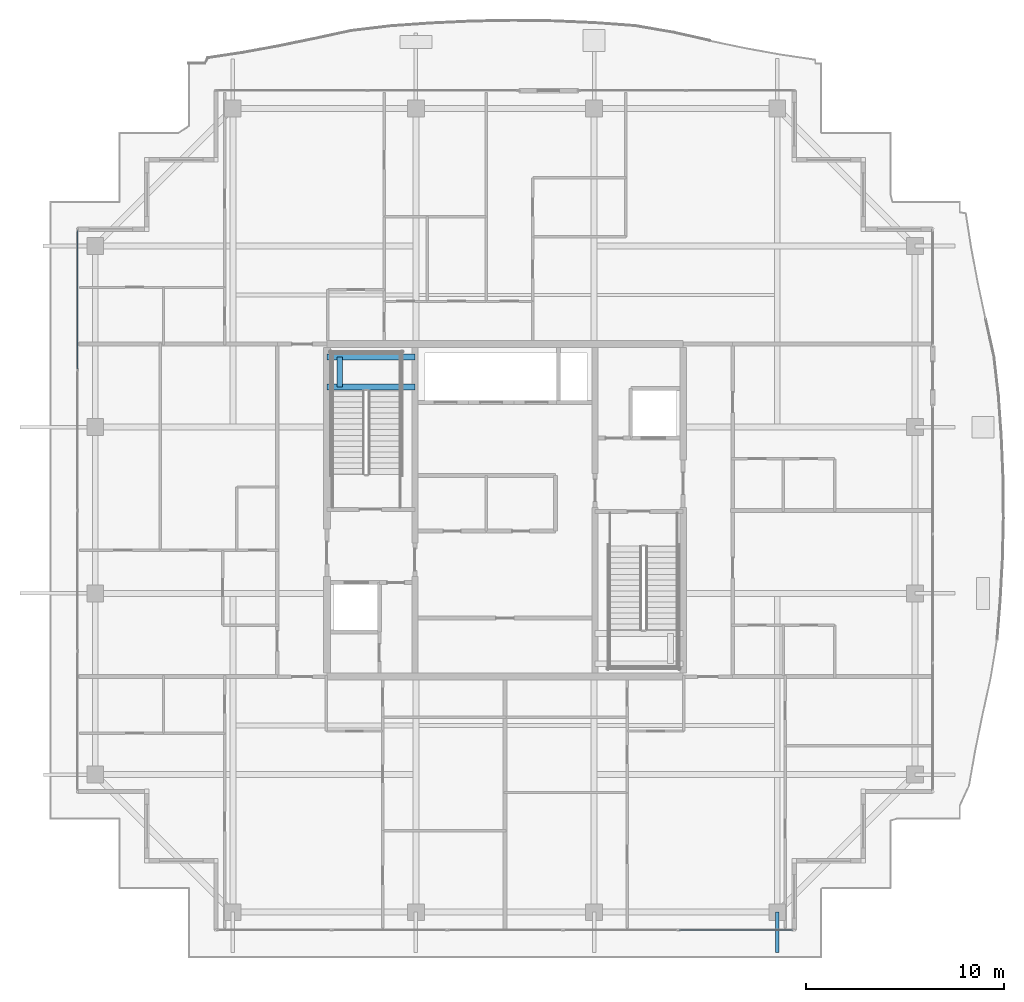
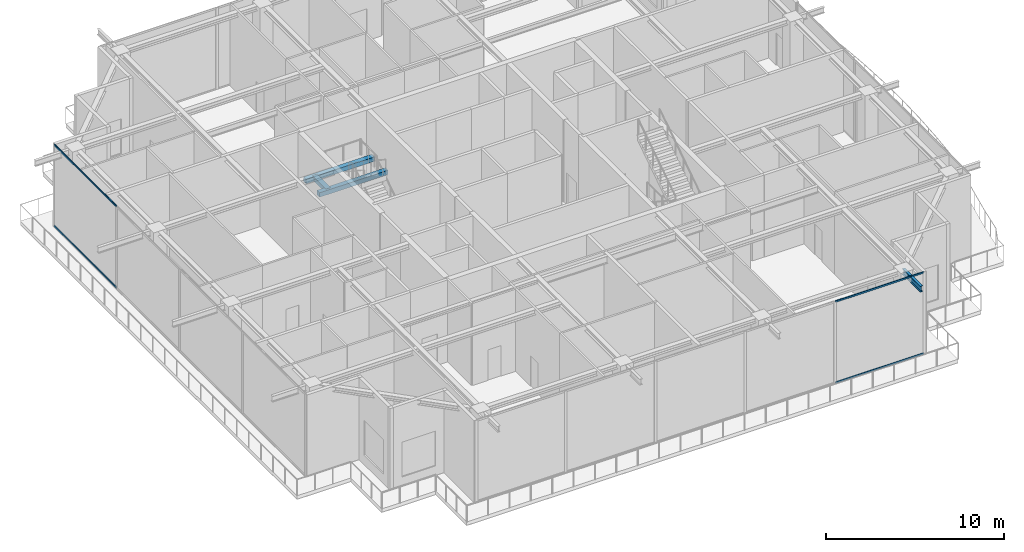
# One storey, part 11 of 40: 4 beams, 4 members, 2 elements without a shape of their own.
"""IFC4 building model written with IfcOpenShell, lengths in metres."""

from ifc_helpers import new_model, si_unit, direction, frame, origin, origin_2d, place, context, subcontext, project, spatial, rectangle, hollow_rectangle, i_section, extrude, source, transform, mapped, material, layer, layer_set, material_profile, profile_set, type_object, element, aggregate, save


model = new_model("IFC4")

# Units and contexts
model_context = context("Model", 3, precision=1e-05, world=origin(), true_north=direction((0.0, 1.0)))
body_context = subcontext(model_context, "Body", "Model", "MODEL_VIEW")
ifc_project = project(units=[si_unit("LENGTHUNIT", "METRE"), si_unit("AREAUNIT", "SQUARE_METRE"), si_unit("VOLUMEUNIT", "CUBIC_METRE"), si_unit("PLANEANGLEUNIT", "RADIAN"), si_unit("MASSUNIT", "GRAM", prefix="KILO")], contexts=[model_context])

# Site, building, storey
site_placement = place(None, origin())
site = spatial("IfcSite", under=ifc_project, at=site_placement, CompositionType="ELEMENT")
building_placement = place(site_placement, origin())
building = spatial("IfcBuilding", under=site, at=building_placement, Name="Serunith Strait Residences", CompositionType="ELEMENT")
storey_placement = place(building_placement, frame((0.0, 0.0, 347.949951171875)))
storey = spatial("IfcBuildingStorey", under=building, at=storey_placement, Name="L86", CompositionType="ELEMENT", Elevation=347.949951171875)

# Beams
ifc_material_1 = material(Name="Steel S355J2", Category="steel")
ifc_material_profile_1 = material_profile(ifc_material_1, i_section(OverallWidth=0.179931640625, OverallDepth=0.39990234375, WebThickness=0.008544921875, FlangeThickness=0.013427734375, FilletRadius=0.02099609375, at=origin_2d()), Name="IPE 400")
ifc_profile_set_1 = profile_set([ifc_material_profile_1], Name="Steel S355J2")
beam_type_1 = type_object("IfcBeamType", Name="BM-IPE400", PredefinedType="JOIST", material=ifc_profile_set_1)
shared_shape_1 = source(origin(), body_context, "Body", "SweptSolid", [
    extrude(i_section(OverallWidth=0.179931640625, OverallDepth=0.39990234375, WebThickness=0.008544921875, FlangeThickness=0.013427734375, FilletRadius=0.02099609375, at=origin_2d()), origin(), (0.0, 0.0, 1.0), 2.02978515625),
])
beam_1_placement = place(storey_placement, frame((46.14990234375, 4.89990234375, 5.406982421875), z_axis=(0.0, -1.0, 0.0), x_axis=(1.0, 0.0, 0.0)))
element("IfcBeam", 1, at=beam_1_placement, inside=storey, type_object=beam_type_1, Name="L87 Cantilevered Balcony Rib TC-S4", PredefinedType="JOIST", context=body_context, shape_type="MappedRepresentation", body=[
    mapped(shared_shape_1, transform((0.0, 0.0, 0.0), scale=1.0)),
])
ifc_material_2 = material(Name="Concrete C60/75", Category="concrete")
ifc_material_profile_2 = material_profile(ifc_material_2, rectangle(XDim=0.300048828125, YDim=0.300048828125, at=origin_2d()), Name="RC 300x300")
ifc_profile_set_2 = profile_set([ifc_material_profile_2], Name="Concrete C60/75")
beam_type_2 = type_object("IfcBeamType", Name="BM-LAND-300x300", PredefinedType="BEAM", material=ifc_profile_set_2)
shared_shape_2 = source(origin(), body_context, "Body", "SweptSolid", [
    extrude(rectangle(XDim=0.300048828125, YDim=0.300048828125, at=origin_2d()), origin(), (0.0, 0.0, 1.0), 4.4501953125),
])
for number, where, z_axis, x_axis, name in (
    (2, (23.39990234375, 31.429931640625, 2.60009765625), (1.0, 0.0, 0.0), (0.0, 1.0, 0.0), "L86 ST-1 Landing Support Beam 1"),
    (3, (23.39990234375, 32.949951171875, 2.60009765625), (1.0, 0.0, 0.0), (0.0, 1.0, 0.0), "L86 ST-1 Landing Support Beam 2"),
):
    element("IfcBeam", number, at=place(storey_placement, frame(where, z_axis=z_axis, x_axis=x_axis)), inside=storey, type_object=beam_type_2, Name=name, PredefinedType="BEAM", context=body_context, shape_type="MappedRepresentation", body=[
        mapped(shared_shape_2, transform((0.0, 0.0, 0.0), scale=1.0)),
    ])
shared_shape_3 = source(origin(), body_context, "Body", "SweptSolid", [
    extrude(rectangle(XDim=0.300048828125, YDim=0.300048828125, at=origin_2d()), origin(), (0.0, 0.0, 1.0), 1.52001953125),
])
beam_2_placement = place(storey_placement, frame((24.050048828125, 31.429931640625, 2.60009765625), z_axis=(0.0, 1.0, 0.0), x_axis=(-1.0, 0.0, 0.0)))
element("IfcBeam", 4, at=beam_2_placement, inside=storey, type_object=beam_type_2, Name="L86 ST-1 Landing Transverse Tie Beam", PredefinedType="BEAM", context=body_context, shape_type="MappedRepresentation", body=[
    mapped(shared_shape_3, transform((0.0, 0.0, 0.0), scale=1.0)),
])

# Curtain wall, members
ifc_material_3 = material(Name="Brushed Stainless-Silver Aluminium", Category="aluminium")
ifc_layer = layer(ifc_material_3, 0.199951171875, Name="Brushed Stainless-Silver Aluminium")
ifc_layer_set = layer_set([ifc_layer], Name="Brushed Stainless-Silver Aluminium")
curtain_wall_type = type_object("IfcCurtainWallType", Name="CW-SYS5", PredefinedType="NOTDEFINED", material=ifc_layer_set)
curtain_wall_1_placement = place(storey_placement, origin())
curtain_wall_1 = element("IfcCurtainWall", 5, at=curtain_wall_1_placement, inside=storey, type_object=curtain_wall_type, Name="L86 W Unitised Fritted Curtain Wall", PredefinedType="NOTDEFINED")
ifc_material_profile_3 = material_profile(ifc_material_3, hollow_rectangle(XDim=0.06005859375, YDim=0.1201171875, WallThickness=0.00341796875, InnerFilletRadius=0.00537109375, OuterFilletRadius=0.0087890625, at=origin_2d()), Name="ALU 120x60x3.5")
ifc_profile_set_3 = profile_set([ifc_material_profile_3], Name="Brushed Stainless-Silver Aluminium")
member_type = type_object("IfcMemberType", Name="CW-SYS5-TRAN", PredefinedType="USERDEFINED", material=ifc_profile_set_3)
shared_shape_4 = source(origin(), body_context, "Body", "SweptSolid", [
    extrude(hollow_rectangle(XDim=0.06005859375, YDim=0.1201171875, WallThickness=0.00341796875, InnerFilletRadius=0.00537109375, OuterFilletRadius=0.0087890625, at=origin_2d()), origin(), (0.0, 0.0, 1.0), 7.00244140625),
])
member_1_placement = place(storey_placement, frame((10.800048828125, 39.3349609375, 0.030029296875), z_axis=(0.0, -1.0, 0.0), x_axis=(1.0, 0.0, 0.0)))
member_1 = element("IfcMember", 6, at=member_1_placement, type_object=member_type, Name="CW-5 transom 1.1", ObjectType="TRANSOM", PredefinedType="USERDEFINED", context=body_context, shape_type="MappedRepresentation", body=[
    mapped(shared_shape_4, transform((0.0, 0.0, 0.0), scale=1.0)),
])
member_2_placement = place(storey_placement, frame((10.800048828125, 39.3349609375, 5.594970703125), z_axis=(0.0, -1.0, 0.0), x_axis=(1.0, 0.0, 0.0)))
member_2 = element("IfcMember", 7, at=member_2_placement, type_object=member_type, Name="CW-5 transom 1.2", ObjectType="TRANSOM", PredefinedType="USERDEFINED", context=body_context, shape_type="MappedRepresentation", body=[
    mapped(shared_shape_4, transform((0.0, 0.0, 0.0), scale=1.0)),
])
aggregate(curtain_wall_1, [member_1, member_2])

curtain_wall_2_placement = place(storey_placement, origin())
curtain_wall_2 = element("IfcCurtainWall", 8, at=curtain_wall_2_placement, inside=storey, type_object=curtain_wall_type, Name="L86 S Unitised Fritted Curtain Wall", PredefinedType="NOTDEFINED")
shared_shape_5 = source(origin(), body_context, "Body", "SweptSolid", [
    extrude(hollow_rectangle(XDim=0.06005859375, YDim=0.1201171875, WallThickness=0.00341796875, InnerFilletRadius=0.00537109375, OuterFilletRadius=0.0087890625, at=origin_2d()), origin(), (0.0, 0.0, 1.0), 5.74267578125),
])
member_3_placement = place(storey_placement, frame((41.1923828125, 4.0, 0.030029296875), z_axis=(1.0, 0.0, 0.0), x_axis=(0.0, 1.0, 0.0)))
member_3 = element("IfcMember", 9, at=member_3_placement, type_object=member_type, Name="CW-5 transom 5.1", ObjectType="TRANSOM", PredefinedType="USERDEFINED", context=body_context, shape_type="MappedRepresentation", body=[
    mapped(shared_shape_5, transform((0.0, 0.0, 0.0), scale=1.0)),
])
member_4_placement = place(storey_placement, frame((41.1923828125, 4.0, 5.594970703125), z_axis=(1.0, 0.0, 0.0), x_axis=(0.0, 1.0, 0.0)))
member_4 = element("IfcMember", 10, at=member_4_placement, type_object=member_type, Name="CW-5 transom 5.2", ObjectType="TRANSOM", PredefinedType="USERDEFINED", context=body_context, shape_type="MappedRepresentation", body=[
    mapped(shared_shape_5, transform((0.0, 0.0, 0.0), scale=1.0)),
])
aggregate(curtain_wall_2, [member_3, member_4])

save(model, "model.ifc")
